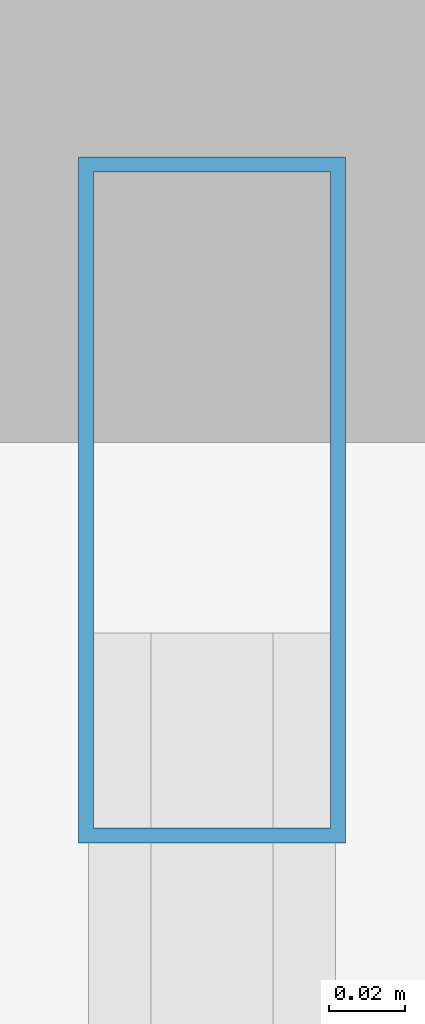
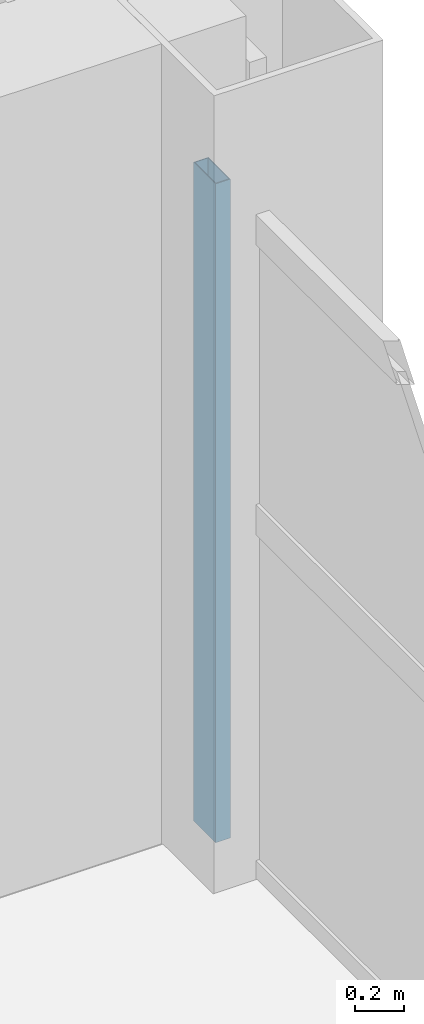
# One storey, part 6 of 13: 1 member, 1 element without a shape of its own.
"""IFC4 building model written with IfcOpenShell, lengths in metres."""

from ifc_helpers import new_model, si_unit, direction, frame, origin, origin_2d, place, context, subcontext, project, spatial, hollow_rectangle, extrude, material, layer, layer_set, material_profile, profile_set, type_object, element, aggregate, save


model = new_model("IFC4")

# Units and contexts
model_context = context("Model", 3, precision=1e-05, world=origin(), true_north=direction((0.0, 1.0)))
body_context = subcontext(model_context, "Body", "Model", "MODEL_VIEW")
ifc_project = project(units=[si_unit("LENGTHUNIT", "METRE"), si_unit("AREAUNIT", "SQUARE_METRE"), si_unit("VOLUMEUNIT", "CUBIC_METRE"), si_unit("PLANEANGLEUNIT", "RADIAN"), si_unit("MASSUNIT", "GRAM", prefix="KILO")], contexts=[model_context])

# Site, building, storey
site_placement = place(None, origin())
site = spatial("IfcSite", under=ifc_project, at=site_placement, CompositionType="ELEMENT")
building_placement = place(site_placement, origin())
building = spatial("IfcBuilding", under=site, at=building_placement, Name="Qianrong Seaharbour Tower", CompositionType="ELEMENT")
storey_placement = place(building_placement, frame((0.0, 0.0, 291.199951171875)))
storey = spatial("IfcBuildingStorey", under=building, at=storey_placement, Name="L70", CompositionType="ELEMENT", Elevation=291.199951171875)

# Curtain wall, member
ifc_material_1 = material(Name="Anodised aluminium 6063-T6 and laminated low-e glass", Category="aluminium")
ifc_layer = layer(ifc_material_1, 0.195068359375)
ifc_layer_set = layer_set([ifc_layer], Name="Anodised aluminium 6063-T6 and laminated low-e glass")
curtain_wall_type = type_object("IfcCurtainWallType", Name="CW-SYS-3", PredefinedType="NOTDEFINED", material=ifc_layer_set)
curtain_wall_placement = place(storey_placement, origin())
curtain_wall = element("IfcCurtainWall", 1, at=curtain_wall_placement, inside=storey, type_object=curtain_wall_type, Name="L70 Sky-Garden Wintergarden Curtain Wall EAST_WING", PredefinedType="NOTDEFINED")
ifc_material_2 = material(Name="Extruded aluminium 6063-T6", Category="aluminium")
ifc_material_profile = material_profile(ifc_material_2, hollow_rectangle(XDim=0.070068359375, YDim=0.179931640625, WallThickness=0.00390625, at=origin_2d()), Name="ALU-MUL-180x70x4")
ifc_profile_set = profile_set([ifc_material_profile], Name="Extruded aluminium 6063-T6")
member_type = type_object("IfcMemberType", Name="CW-MUL-180", PredefinedType="MULLION", material=ifc_profile_set)
member_placement = place(storey_placement, frame((63.830078125, 36.014892578125, 0.0), z_axis=(0.0, 0.0, 1.0), x_axis=(1.0, 0.0, 0.0)))
member = element("IfcMember", 2, at=member_placement, type_object=member_type, Name="CW-3 mullion 1", PredefinedType="MULLION", context=body_context, shape_type="SweptSolid", body=[
    extrude(hollow_rectangle(XDim=0.070068359375, YDim=0.179931640625, WallThickness=0.00390625, at=origin_2d()), origin(), (0.0, 0.0, 1.0), 3.295166015625),
])
aggregate(curtain_wall, [member])

save(model, "model.ifc")
